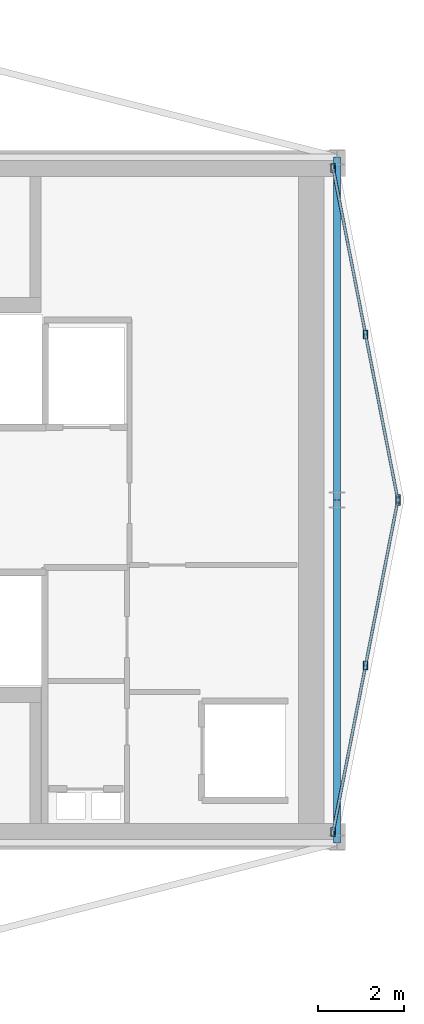
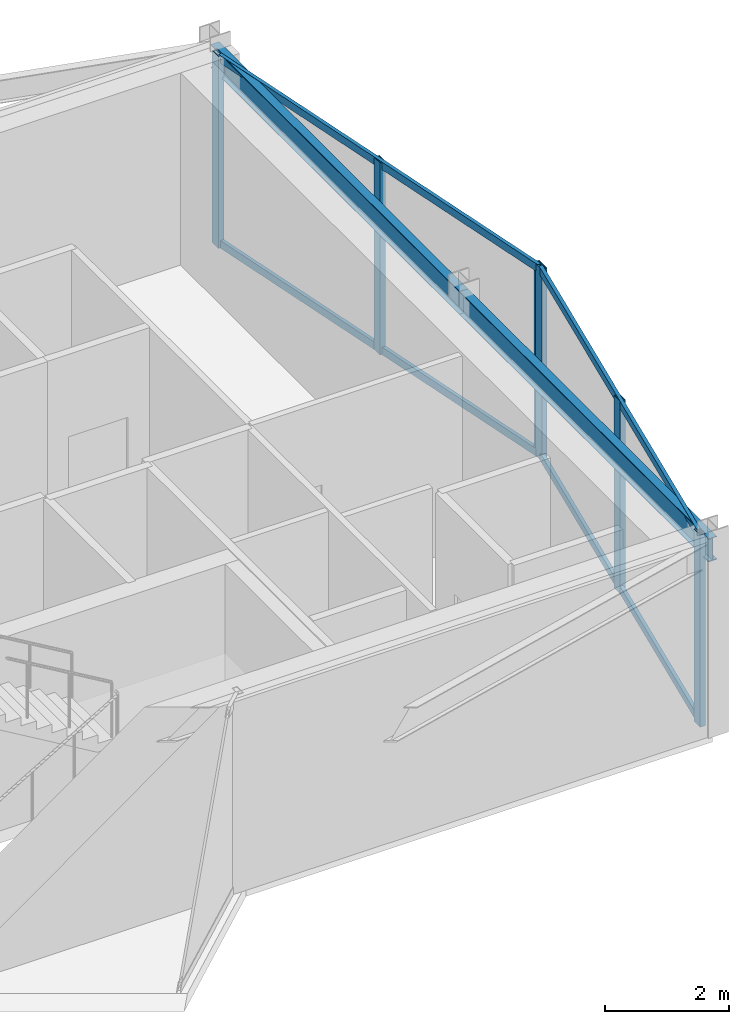
# One storey, part 6 of 11: 10 members, 2 beams, 2 elements without a shape of their own.
"""IFC4 building model written with IfcOpenShell, lengths in metres."""

from ifc_helpers import new_model, si_unit, direction, frame, origin, origin_2d, place, context, subcontext, project, spatial, hollow_rectangle, i_section, extrude, material, layer, layer_set, material_profile, profile_set, type_object, element, aggregate, save


model = new_model("IFC4")

# Units and contexts
model_context = context("Model", 3, precision=1e-05, world=origin(), true_north=direction((0.0, 1.0)))
body_context = subcontext(model_context, "Body", "Model", "MODEL_VIEW")
ifc_project = project(units=[si_unit("LENGTHUNIT", "METRE"), si_unit("AREAUNIT", "SQUARE_METRE"), si_unit("VOLUMEUNIT", "CUBIC_METRE"), si_unit("PLANEANGLEUNIT", "RADIAN"), si_unit("MASSUNIT", "GRAM", prefix="KILO")], contexts=[model_context])

# Site, building, storey
site_placement = place(None, origin())
site = spatial("IfcSite", under=ifc_project, at=site_placement, CompositionType="ELEMENT")
building_placement = place(site_placement, origin())
building = spatial("IfcBuilding", under=site, at=building_placement, Name="Veymaron Broadcast Tower", CompositionType="ELEMENT")
storey_placement = place(building_placement, frame((0.0, 0.0, 323.550048828125)))
storey = spatial("IfcBuildingStorey", under=building, at=storey_placement, Name="L76", CompositionType="ELEMENT", Elevation=323.550048828125)

# Beams
ifc_material_1 = material(Name="Structural steel ASTM A992 Gr 50", Category="steel")
ifc_material_profile_1 = material_profile(ifc_material_1, i_section(OverallWidth=0.154052734375, OverallDepth=0.458984375, WebThickness=0.009033203125, FlangeThickness=0.015380859375, at=origin_2d()), Name="W460X68")
ifc_profile_set_1 = profile_set([ifc_material_profile_1], Name="Structural steel ASTM A992 Gr 50")
beam_type = type_object("IfcBeamType", Name="BM-SP2", PredefinedType="SPANDREL", material=ifc_profile_set_1)
for number, where, z_axis, x_axis, name in (
    (1, (54.60009765625, 16.0, 3.54052734375), (0.0, 1.0, 0.0), (-1.0, 0.0, 0.0), "L76 primary structural floor girder"),
    (2, (54.60009765625, 24.0, 3.54052734375), (0.0, 1.0, 0.0), (-1.0, 0.0, 0.0), "L76 primary structural floor girder"),
):
    element("IfcBeam", number, at=place(storey_placement, frame(where, z_axis=z_axis, x_axis=x_axis)), inside=storey, type_object=beam_type, Name=name, PredefinedType="SPANDREL", context=body_context, shape_type="SweptSolid", body=[
        extrude(i_section(OverallWidth=0.154052734375, OverallDepth=0.458984375, WebThickness=0.009033203125, FlangeThickness=0.015380859375, at=origin_2d()), origin(), (0.0, 0.0, 1.0), 8.0),
    ])

# Curtain wall, members
ifc_material_2 = material(Name="Anodised aluminium AA 6063-T6 and laminated low-E dark glass", Category="aluminium")
ifc_layer = layer(ifc_material_2, 0.179931640625)
ifc_layer_set = layer_set([ifc_layer], Name="Anodised aluminium AA 6063-T6 and laminated low-E dark glass")
curtain_wall_type = type_object("IfcCurtainWallType", Name="CW-SYS-06", PredefinedType="NOTDEFINED", material=ifc_layer_set)
curtain_wall_1_placement = place(storey_placement, origin())
curtain_wall_1 = element("IfcCurtainWall", 3, at=curtain_wall_1_placement, inside=storey, type_object=curtain_wall_type, Name="L76 dark-glass curtain wall CW-L76-E2-1", PredefinedType="NOTDEFINED")
ifc_material_3 = material(Name="Anodised aluminium AA 6063-T6", Category="aluminium")
ifc_material_profile_2 = material_profile(ifc_material_3, hollow_rectangle(XDim=0.10009765625, YDim=0.199951171875, WallThickness=0.010009765625, at=origin_2d()), Name="RHS200X100X10")
ifc_profile_set_2 = profile_set([ifc_material_profile_2], Name="Anodised aluminium AA 6063-T6")
member_type_1 = type_object("IfcMemberType", Name="CW-MUL-01", PredefinedType="MULLION", material=ifc_profile_set_2)
member_1_placement = place(storey_placement, frame((54.507568359375, 16.2568359375, 0.0), z_axis=(0.0, 0.0, 1.0), x_axis=(1.0, 0.0, 0.0)))
member_1 = element("IfcMember", 4, at=member_1_placement, type_object=member_type_1, Name="CW-L76-E2-1 mullion 0", PredefinedType="MULLION", context=body_context, shape_type="SweptSolid", body=[
    extrude(hollow_rectangle(XDim=0.10009765625, YDim=0.199951171875, WallThickness=0.010009765625, at=origin_2d()), origin(), (0.0, 0.0, 1.0), 3.77001953125),
])
member_2_placement = place(storey_placement, frame((55.26611328125, 20.141845703125, 0.0), z_axis=(0.0, 0.0, 1.0), x_axis=(1.0, 0.0, 0.0)))
member_2 = element("IfcMember", 5, at=member_2_placement, type_object=member_type_1, Name="CW-L76-E2-1 mullion 1", PredefinedType="MULLION", context=body_context, shape_type="SweptSolid", body=[
    extrude(hollow_rectangle(XDim=0.10009765625, YDim=0.199951171875, WallThickness=0.010009765625, at=origin_2d()), origin(), (0.0, 0.0, 1.0), 3.77001953125),
])
member_3_placement = place(storey_placement, frame((56.02490234375, 24.02685546875, 0.0), z_axis=(0.0, 0.0, 1.0), x_axis=(1.0, 0.0, 0.0)))
member_3 = element("IfcMember", 6, at=member_3_placement, type_object=member_type_1, Name="CW-L76-E2-1 mullion 2", PredefinedType="MULLION", context=body_context, shape_type="SweptSolid", body=[
    extrude(hollow_rectangle(XDim=0.10009765625, YDim=0.199951171875, WallThickness=0.010009765625, at=origin_2d()), origin(), (0.0, 0.0, 1.0), 3.77001953125),
])

curtain_wall_2_placement = place(storey_placement, origin())
curtain_wall_2 = element("IfcCurtainWall", 7, at=curtain_wall_2_placement, inside=storey, type_object=curtain_wall_type, Name="L76 dark-glass curtain wall CW-L76-E3-1", PredefinedType="NOTDEFINED")
member_4_placement = place(storey_placement, frame((56.02490234375, 23.97314453125, 0.0), z_axis=(0.0, 0.0, 1.0), x_axis=(1.0, 0.0, 0.0)))
member_4 = element("IfcMember", 8, at=member_4_placement, type_object=member_type_1, Name="CW-L76-E3-1 mullion 0", PredefinedType="MULLION", context=body_context, shape_type="SweptSolid", body=[
    extrude(hollow_rectangle(XDim=0.10009765625, YDim=0.199951171875, WallThickness=0.010009765625, at=origin_2d()), origin(), (0.0, 0.0, 1.0), 3.77001953125),
])
member_5_placement = place(storey_placement, frame((55.26611328125, 27.858154296875, 0.0), z_axis=(0.0, 0.0, 1.0), x_axis=(1.0, 0.0, 0.0)))
member_5 = element("IfcMember", 9, at=member_5_placement, type_object=member_type_1, Name="CW-L76-E3-1 mullion 1", PredefinedType="MULLION", context=body_context, shape_type="SweptSolid", body=[
    extrude(hollow_rectangle(XDim=0.10009765625, YDim=0.199951171875, WallThickness=0.010009765625, at=origin_2d()), origin(), (0.0, 0.0, 1.0), 3.77001953125),
])
member_6_placement = place(storey_placement, frame((54.507568359375, 31.7431640625, 0.0), z_axis=(0.0, 0.0, 1.0), x_axis=(1.0, 0.0, 0.0)))
member_6 = element("IfcMember", 10, at=member_6_placement, type_object=member_type_1, Name="CW-L76-E3-1 mullion 2", PredefinedType="MULLION", context=body_context, shape_type="SweptSolid", body=[
    extrude(hollow_rectangle(XDim=0.10009765625, YDim=0.199951171875, WallThickness=0.010009765625, at=origin_2d()), origin(), (0.0, 0.0, 1.0), 3.77001953125),
])

# Member
ifc_material_profile_3 = material_profile(ifc_material_3, hollow_rectangle(XDim=0.06494140625, YDim=0.14990234375, WallThickness=0.00390625, at=origin_2d()), Name="AL150X65X4")
ifc_profile_set_3 = profile_set([ifc_material_profile_3], Name="Anodised aluminium AA 6063-T6")
member_type_2 = type_object("IfcMemberType", Name="CW-TRN-01", PredefinedType="USERDEFINED", material=ifc_profile_set_3)
member_7_placement = place(storey_placement, frame((54.51708984375, 16.305908203125, 0.070068359375), z_axis=(0.191675469743, 0.98145836096, 0.0), x_axis=(-0.98145836096, 0.191675469743, 0.0)))
member_7 = element("IfcMember", 11, at=member_7_placement, type_object=member_type_2, Name="CW-L76-E2-1 transom B", ObjectType="TRANSOM", PredefinedType="USERDEFINED", context=body_context, shape_type="SweptSolid", body=[
    extrude(hollow_rectangle(XDim=0.06494140625, YDim=0.14990234375, WallThickness=0.00390625, at=origin_2d()), origin(), (0.0, 0.0, 1.0), 7.81689453125),
])

member_8_placement = place(storey_placement, frame((54.51708984375, 16.305908203125, 3.699951171875), z_axis=(0.191675469743, 0.98145836096, 0.0), x_axis=(-0.98145836096, 0.191675469743, 0.0)))
member_8 = element("IfcMember", 12, at=member_8_placement, type_object=member_type_2, Name="CW-L76-E2-1 transom T", ObjectType="TRANSOM", PredefinedType="USERDEFINED", context=body_context, shape_type="SweptSolid", body=[
    extrude(hollow_rectangle(XDim=0.06494140625, YDim=0.14990234375, WallThickness=0.00390625, at=origin_2d()), origin(), (0.0, 0.0, 1.0), 7.81689453125),
])

aggregate(curtain_wall_1, [member_1, member_2, member_3, member_7, member_8])

member_9_placement = place(storey_placement, frame((56.015380859375, 24.022216796875, 0.070068359375), z_axis=(-0.191675469743, 0.98145836096, 0.0), x_axis=(-0.98145836096, -0.191675469743, 0.0)))
member_9 = element("IfcMember", 13, at=member_9_placement, type_object=member_type_2, Name="CW-L76-E3-1 transom B", ObjectType="TRANSOM", PredefinedType="USERDEFINED", context=body_context, shape_type="SweptSolid", body=[
    extrude(hollow_rectangle(XDim=0.06494140625, YDim=0.14990234375, WallThickness=0.00390625, at=origin_2d()), origin(), (0.0, 0.0, 1.0), 7.81689453125),
])

member_10_placement = place(storey_placement, frame((56.015380859375, 24.022216796875, 3.699951171875), z_axis=(-0.191675469743, 0.98145836096, 0.0), x_axis=(-0.98145836096, -0.191675469743, 0.0)))
member_10 = element("IfcMember", 14, at=member_10_placement, type_object=member_type_2, Name="CW-L76-E3-1 transom T", ObjectType="TRANSOM", PredefinedType="USERDEFINED", context=body_context, shape_type="SweptSolid", body=[
    extrude(hollow_rectangle(XDim=0.06494140625, YDim=0.14990234375, WallThickness=0.00390625, at=origin_2d()), origin(), (0.0, 0.0, 1.0), 7.81689453125),
])

aggregate(curtain_wall_2, [member_4, member_5, member_6, member_9, member_10])

save(model, "model.ifc")
